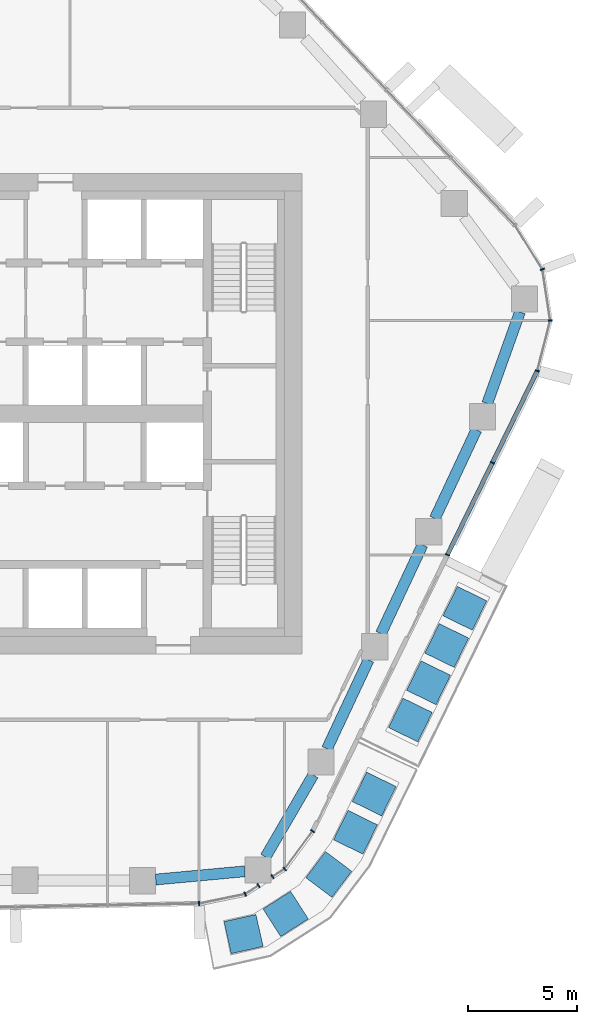
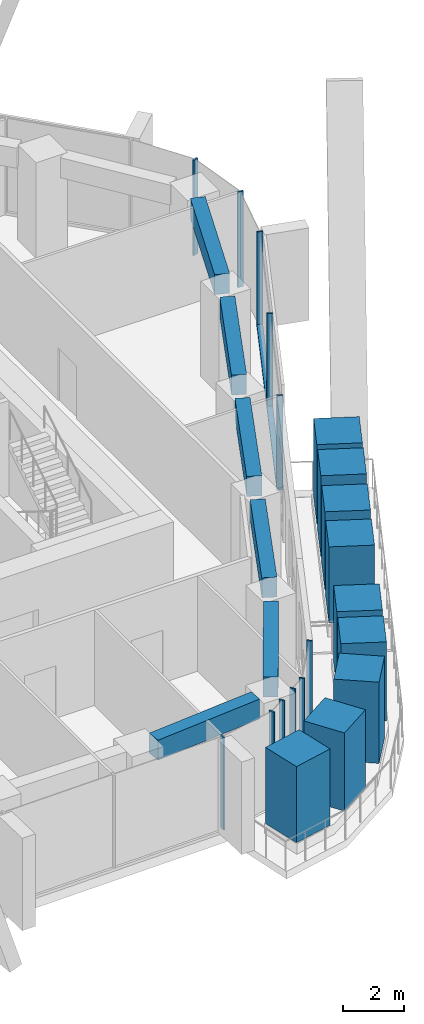
# One storey, part 4 of 18: 21 members, 6 beams, 5 elements without a shape of their own.
"""IFC4 building model written with IfcOpenShell, lengths in metres."""

from ifc_helpers import new_model, si_unit, direction, frame, origin, origin_2d, place, context, subcontext, project, spatial, rectangle, extrude, material, layer, layer_set, material_profile, profile_set, type_object, element, aggregate, save


model = new_model("IFC4")

# Units and contexts
model_context = context("Model", 3, precision=1e-05, world=origin(), true_north=direction((0.0, 1.0)))
body_context = subcontext(model_context, "Body", "Model", "MODEL_VIEW")
ifc_project = project(units=[si_unit("LENGTHUNIT", "METRE"), si_unit("AREAUNIT", "SQUARE_METRE"), si_unit("VOLUMEUNIT", "CUBIC_METRE"), si_unit("PLANEANGLEUNIT", "RADIAN"), si_unit("MASSUNIT", "GRAM", prefix="KILO")], contexts=[model_context])

# Site, building, storey
site_placement = place(None, origin())
site = spatial("IfcSite", under=ifc_project, at=site_placement, CompositionType="ELEMENT")
building_placement = place(site_placement, origin())
building = spatial("IfcBuilding", under=site, at=building_placement, Name="Dongbaek Canopy Tower", CompositionType="ELEMENT")
storey_placement = place(building_placement, frame((0.0, 0.0, 167.0)))
storey = spatial("IfcBuildingStorey", under=building, at=storey_placement, Name="L36", CompositionType="ELEMENT", Elevation=167.0)

# Curtain wall, members
ifc_material_1 = material(Name="Aluminium 6063-T6 pale anodised", Category="aluminium")
ifc_layer = layer(ifc_material_1, 0.199951171875)
ifc_layer_set = layer_set([ifc_layer], Name="CW-1 unitised tower curtain wall")
curtain_wall_type = type_object("IfcCurtainWallType", Name="CW-1 unitised tower curtain wall", PredefinedType="NOTDEFINED", material=ifc_layer_set)
curtain_wall_1_placement = place(storey_placement, origin())
curtain_wall_1 = element("IfcCurtainWall", 1, at=curtain_wall_1_placement, inside=storey, type_object=curtain_wall_type, Name="CW-1 curtain wall K0.1", PredefinedType="NOTDEFINED")
ifc_material_2 = material(Name="Aluminium 6063-T6 pale anodised", Category="aluminium")
ifc_material_profile_1 = material_profile(ifc_material_2, rectangle(XDim=0.199951171875, YDim=0.06005859375, at=origin_2d()), Name="CW-1 mullion 60 x 200")
ifc_profile_set_1 = profile_set([ifc_material_profile_1], Name="Aluminium 6063-T6 pale anodised")
member_type_1 = type_object("IfcMemberType", Name="CW-1 mullion 60 x 200", PredefinedType="MULLION", material=ifc_profile_set_1)
member_1_placement = place(storey_placement, frame((24.76123046875, 1.9658203125, 0.0), z_axis=(0.0, 0.0, 1.0), x_axis=(0.968425118829, -0.249304611313, 0.0)))
member_1 = element("IfcMember", 2, at=member_1_placement, type_object=member_type_1, Name="CW-1 mullion K0.1.1", PredefinedType="MULLION", context=body_context, shape_type="SweptSolid", body=[
    extrude(rectangle(XDim=0.199951171875, YDim=0.06005859375, at=origin_2d()), origin(), (0.0, 0.0, 1.0), 3.820068359375),
])
member_2_placement = place(storey_placement, frame((25.354248046875, 4.26953125, 0.0), z_axis=(0.0, 0.0, 1.0), x_axis=(0.998759637263, -0.04979143475, 0.0)))
member_2 = element("IfcMember", 3, at=member_2_placement, type_object=member_type_1, Name="CW-1 mullion K0.1.2", PredefinedType="MULLION", context=body_context, shape_type="SweptSolid", body=[
    extrude(rectangle(XDim=0.199951171875, YDim=0.06005859375, at=origin_2d()), origin(), (0.0, 0.0, 1.0), 3.820068359375),
])
member_3_placement = place(storey_placement, frame((24.994873046875, 6.6103515625, 0.0), z_axis=(0.0, 0.0, 1.0), x_axis=(0.937824276547, 0.347110395003, 0.0)))
member_3 = element("IfcMember", 4, at=member_3_placement, type_object=member_type_1, Name="CW-1 mullion K0.1.3", PredefinedType="MULLION", context=body_context, shape_type="SweptSolid", body=[
    extrude(rectangle(XDim=0.199951171875, YDim=0.06005859375, at=origin_2d()), origin(), (0.0, 0.0, 1.0), 3.820068359375),
])
aggregate(curtain_wall_1, [member_1, member_2, member_3])

# Curtain wall, member
curtain_wall_2_placement = place(storey_placement, origin())
curtain_wall_2 = element("IfcCurtainWall", 5, at=curtain_wall_2_placement, inside=storey, type_object=curtain_wall_type, Name="CW-1 curtain wall F4.1", PredefinedType="NOTDEFINED")
member_4_placement = place(storey_placement, frame((9.2841796875, -22.41845703125, 0.1201171875), z_axis=(0.0, 0.0, 1.0), x_axis=(0.020514717954, -0.999789551029, 0.0)))
member_4 = element("IfcMember", 6, at=member_4_placement, type_object=member_type_1, Name="CW-1 mullion F4.1.5", PredefinedType="MULLION", context=body_context, shape_type="SweptSolid", body=[
    extrude(rectangle(XDim=0.199951171875, YDim=0.06005859375, at=origin_2d()), origin(), (0.0, 0.0, 1.0), 3.699951171875),
])
aggregate(curtain_wall_2, [member_4])

# Curtain wall, members
curtain_wall_3_placement = place(storey_placement, origin())
curtain_wall_3 = element("IfcCurtainWall", 7, at=curtain_wall_3_placement, inside=storey, type_object=curtain_wall_type, Name="CW-1 curtain wall K5.1a", PredefinedType="NOTDEFINED")
member_5_placement = place(storey_placement, frame((11.392578125, -21.98388671875, 0.0), z_axis=(0.0, 0.0, 1.0), x_axis=(0.376398173311, -0.92645799426, 0.0)))
member_5 = element("IfcMember", 8, at=member_5_placement, type_object=member_type_1, Name="CW-1 mullion K5.1a.2", PredefinedType="MULLION", context=body_context, shape_type="SweptSolid", body=[
    extrude(rectangle(XDim=0.199951171875, YDim=0.06005859375, at=origin_2d()), origin(), (0.0, 0.0, 1.0), 3.820068359375),
])
member_6_placement = place(storey_placement, frame((12.001953125, -21.594482421875, 0.0), z_axis=(0.0, 0.0, 1.0), x_axis=(0.538452968789, -0.842655564511, 0.0)))
member_6 = element("IfcMember", 9, at=member_6_placement, type_object=member_type_1, Name="CW-1 mullion K5.1a.3", PredefinedType="MULLION", context=body_context, shape_type="SweptSolid", body=[
    extrude(rectangle(XDim=0.199951171875, YDim=0.06005859375, at=origin_2d()), origin(), (0.0, 0.0, 1.0), 3.820068359375),
])
aggregate(curtain_wall_3, [member_5, member_6])

curtain_wall_4_placement = place(storey_placement, origin())
curtain_wall_4 = element("IfcCurtainWall", 10, at=curtain_wall_4_placement, inside=storey, type_object=curtain_wall_type, Name="CW-1 curtain wall K5.1b", PredefinedType="NOTDEFINED")
member_7_placement = place(storey_placement, frame((12.64208984375, -21.185546875, 0.0), z_axis=(0.0, 0.0, 1.0), x_axis=(0.538452968789, -0.842655564511, 0.0)))
member_7 = element("IfcMember", 11, at=member_7_placement, type_object=member_type_1, Name="CW-1 mullion K5.1b.1", PredefinedType="MULLION", context=body_context, shape_type="SweptSolid", body=[
    extrude(rectangle(XDim=0.199951171875, YDim=0.06005859375, at=origin_2d()), origin(), (0.0, 0.0, 1.0), 3.820068359375),
])
member_8_placement = place(storey_placement, frame((13.198486328125, -20.830078125, 0.0), z_axis=(0.0, 0.0, 1.0), x_axis=(0.682585570445, -0.730805678016, 0.0)))
member_8 = element("IfcMember", 12, at=member_8_placement, type_object=member_type_1, Name="CW-1 mullion K5.1b.2", PredefinedType="MULLION", context=body_context, shape_type="SweptSolid", body=[
    extrude(rectangle(XDim=0.199951171875, YDim=0.06005859375, at=origin_2d()), origin(), (0.0, 0.0, 1.0), 3.820068359375),
])
member_9_placement = place(storey_placement, frame((14.478515625, -19.099365234375, 0.0), z_axis=(0.0, 0.0, 1.0), x_axis=(0.803998581724, -0.594631213935, 0.0)))
member_9 = element("IfcMember", 13, at=member_9_placement, type_object=member_type_1, Name="CW-1 mullion K5.1b.3", PredefinedType="MULLION", context=body_context, shape_type="SweptSolid", body=[
    extrude(rectangle(XDim=0.199951171875, YDim=0.06005859375, at=origin_2d()), origin(), (0.0, 0.0, 1.0), 3.820068359375),
])
aggregate(curtain_wall_4, [member_7, member_8, member_9])

curtain_wall_5_placement = place(storey_placement, origin())
curtain_wall_5 = element("IfcCurtainWall", 14, at=curtain_wall_5_placement, inside=storey, type_object=curtain_wall_type, Name="CW-1 curtain wall F5.1", PredefinedType="NOTDEFINED")
member_10_placement = place(storey_placement, frame((20.649169921875, -6.4580078125, 0.1201171875), z_axis=(0.0, 0.0, 1.0), x_axis=(0.898650818606, -0.438664685403, 0.0)))
member_10 = element("IfcMember", 15, at=member_10_placement, type_object=member_type_1, Name="CW-1 mullion F5.1.1", PredefinedType="MULLION", context=body_context, shape_type="SweptSolid", body=[
    extrude(rectangle(XDim=0.199951171875, YDim=0.06005859375, at=origin_2d()), origin(), (0.0, 0.0, 1.0), 3.699951171875),
])
member_11_placement = place(storey_placement, frame((22.707275390625, -2.241455078125, 0.1201171875), z_axis=(0.0, 0.0, 1.0), x_axis=(0.898650818606, -0.438664685403, 0.0)))
member_11 = element("IfcMember", 16, at=member_11_placement, type_object=member_type_1, Name="CW-1 mullion F5.1.2", PredefinedType="MULLION", context=body_context, shape_type="SweptSolid", body=[
    extrude(rectangle(XDim=0.199951171875, YDim=0.06005859375, at=origin_2d()), origin(), (0.0, 0.0, 1.0), 3.699951171875),
])
ifc_material_3 = material(Name="Aluminium 6063-T6 pale anodised", Category="aluminium")
ifc_material_profile_2 = material_profile(ifc_material_3, rectangle(XDim=0.199951171875, YDim=0.1201171875, at=origin_2d()), Name="CW-1 transom 120 x 200")
ifc_profile_set_2 = profile_set([ifc_material_profile_2], Name="Aluminium 6063-T6 pale anodised")
member_type_2 = type_object("IfcMemberType", Name="CW-1 transom 120 x 200", PredefinedType="USERDEFINED", material=ifc_profile_set_2)
member_12_placement = place(storey_placement, frame((20.649169921875, -6.4580078125, 0.06005859375), z_axis=(0.438671459596, 0.89864751184, 0.0), x_axis=(-0.89864751184, 0.438671459596, 0.0)))
member_12 = element("IfcMember", 17, at=member_12_placement, type_object=member_type_2, Name="CW-1 transom F5.1.1", ObjectType="TRANSOM", PredefinedType="USERDEFINED", context=body_context, shape_type="SweptSolid", body=[
    extrude(rectangle(XDim=0.199951171875, YDim=0.1201171875, at=origin_2d()), origin(), (0.0, 0.0, 1.0), 9.373779296875),
])
aggregate(curtain_wall_5, [member_10, member_11, member_12])

# Beams
ifc_material_4 = material(Name="Concrete C70", Category="concrete")
ifc_material_profile_3 = material_profile(ifc_material_4, rectangle(XDim=0.5, YDim=0.800048828125, at=origin_2d()), Name="RC EDGE BEAM 500x800 C70")
ifc_profile_set_3 = profile_set([ifc_material_profile_3], Name="Concrete C70")
beam_type = type_object("IfcBeamType", Name="RC EDGE BEAM 500x800 C70", PredefinedType="BEAM", material=ifc_profile_set_3)
beam_1_placement = place(storey_placement, frame((11.3720703125, -20.9404296875, 3.419921875), z_axis=(-0.995763065099, -0.091956066598, 0.0), x_axis=(0.091956066598, -0.995763065099, 0.0)))
element("IfcBeam", 18, at=beam_1_placement, inside=storey, type_object=beam_type, Name="EDGEBEAM:L36:00", PredefinedType="BEAM", context=body_context, shape_type="SweptSolid", body=[
    extrude(rectangle(XDim=0.5, YDim=0.800048828125, at=origin_2d()), origin(), (0.0, 0.0, 1.0), 4.09130859375),
])
beam_2_placement = place(storey_placement, frame((23.965576171875, 4.656982421875, 3.419921875), z_axis=(-0.336398951073, -0.941719568511, 0.0), x_axis=(0.941719568511, -0.336398951073, 0.0)))
element("IfcBeam", 19, at=beam_2_placement, inside=storey, type_object=beam_type, Name="EDGEBEAM:L36:21", PredefinedType="BEAM", context=body_context, shape_type="SweptSolid", body=[
    extrude(rectangle(XDim=0.5, YDim=0.800048828125, at=origin_2d()), origin(), (0.0, 0.0, 1.0), 4.4501953125),
])
beam_3_placement = place(storey_placement, frame((21.972900390625, -0.73388671875, 3.419921875), z_axis=(-0.424114752544, -0.905608456605, 0.0), x_axis=(0.905608456605, -0.424114752544, 0.0)))
element("IfcBeam", 20, at=beam_3_placement, inside=storey, type_object=beam_type, Name="EDGEBEAM:L36:22", PredefinedType="BEAM", context=body_context, shape_type="SweptSolid", body=[
    extrude(rectangle(XDim=0.5, YDim=0.800048828125, at=origin_2d()), origin(), (0.0, 0.0, 1.0), 4.489013671875),
])
beam_4_placement = place(storey_placement, frame((19.507080078125, -5.9990234375, 3.419921875), z_axis=(-0.424057758342, -0.905635145956, 0.0), x_axis=(0.905635145956, -0.424057758342, 0.0)))
element("IfcBeam", 21, at=beam_4_placement, inside=storey, type_object=beam_type, Name="EDGEBEAM:L36:23", PredefinedType="BEAM", context=body_context, shape_type="SweptSolid", body=[
    extrude(rectangle(XDim=0.5, YDim=0.800048828125, at=origin_2d()), origin(), (0.0, 0.0, 1.0), 4.49072265625),
])
beam_5_placement = place(storey_placement, frame((17.041015625, -11.26611328125, 3.419921875), z_axis=(-0.424275059541, -0.905533364295, 0.0), x_axis=(0.905533364295, -0.424275059541, 0.0)))
element("IfcBeam", 22, at=beam_5_placement, inside=storey, type_object=beam_type, Name="EDGEBEAM:L36:24", PredefinedType="BEAM", context=body_context, shape_type="SweptSolid", body=[
    extrude(rectangle(XDim=0.5, YDim=0.800048828125, at=origin_2d()), origin(), (0.0, 0.0, 1.0), 4.489990234375),
])
beam_6_placement = place(storey_placement, frame((14.505859375, -16.531982421875, 3.419921875), z_axis=(-0.503073799677, -0.864243456486, 0.0), x_axis=(0.864243456486, -0.503073799677, 0.0)))
element("IfcBeam", 23, at=beam_6_placement, inside=storey, type_object=beam_type, Name="EDGEBEAM:L36:25", PredefinedType="BEAM", context=body_context, shape_type="SweptSolid", body=[
    extrude(rectangle(XDim=0.5, YDim=0.800048828125, at=origin_2d()), origin(), (0.0, 0.0, 1.0), 4.342529296875),
])

# Members
ifc_material_5 = material(Name="Concrete C40/50 planter mass with planting", Category="concrete")
ifc_material_profile_4 = material_profile(ifc_material_5, rectangle(XDim=1.5, YDim=1.5, at=origin_2d()), Name="Terrace PLANTER shrub mass 1500 x 1500")
ifc_profile_set_4 = profile_set([ifc_material_profile_4], Name="Concrete C40/50 planter mass with planting")
member_type_3 = type_object("IfcMemberType", Name="Terrace PLANTER shrub mass 1500 x 1500", PredefinedType="USERDEFINED", material=ifc_profile_set_4)
member_13_placement = place(storey_placement, frame((18.951904296875, -14.015625, 0.419921875), z_axis=(0.0, 0.0, 1.0), x_axis=(0.898650818606, -0.438664685403, 0.0)))
element("IfcMember", 24, at=member_13_placement, inside=storey, type_object=member_type_3, Name="Planter shrubs L36 2.1", ObjectType="PLANTER", PredefinedType="USERDEFINED", context=body_context, shape_type="SweptSolid", body=[
    extrude(rectangle(XDim=1.5, YDim=1.5, at=origin_2d()), origin(), (0.0, 0.0, 1.0), 3.050048828125),
])
member_14_placement = place(storey_placement, frame((19.78369140625, -12.311767578125, 0.419921875), z_axis=(0.0, 0.0, 1.0), x_axis=(0.898650818606, -0.438664685403, 0.0)))
element("IfcMember", 25, at=member_14_placement, inside=storey, type_object=member_type_3, Name="Planter shrubs L36 2.2", ObjectType="PLANTER", PredefinedType="USERDEFINED", context=body_context, shape_type="SweptSolid", body=[
    extrude(rectangle(XDim=1.5, YDim=1.5, at=origin_2d()), origin(), (0.0, 0.0, 1.0), 3.130126953125),
])
member_15_placement = place(storey_placement, frame((20.615234375, -10.60791015625, 0.419921875), z_axis=(0.0, 0.0, 1.0), x_axis=(0.898650818606, -0.438664685403, 0.0)))
element("IfcMember", 26, at=member_15_placement, inside=storey, type_object=member_type_3, Name="Planter shrubs L36 2.3", ObjectType="PLANTER", PredefinedType="USERDEFINED", context=body_context, shape_type="SweptSolid", body=[
    extrude(rectangle(XDim=1.5, YDim=1.5, at=origin_2d()), origin(), (0.0, 0.0, 1.0), 3.25),
])
member_16_placement = place(storey_placement, frame((21.447021484375, -8.904052734375, 0.419921875), z_axis=(0.0, 0.0, 1.0), x_axis=(0.898650818606, -0.438664685403, 0.0)))
element("IfcMember", 27, at=member_16_placement, inside=storey, type_object=member_type_3, Name="Planter shrubs L36 2.4", ObjectType="PLANTER", PredefinedType="USERDEFINED", context=body_context, shape_type="SweptSolid", body=[
    extrude(rectangle(XDim=1.5, YDim=1.5, at=origin_2d()), origin(), (0.0, 0.0, 1.0), 3.170166015625),
])
member_17_placement = place(storey_placement, frame((11.31689453125, -23.812744140625, 0.419921875), z_axis=(0.0, 0.0, 1.0), x_axis=(0.219698440725, -0.975567832159, 0.0)))
element("IfcMember", 28, at=member_17_placement, inside=storey, type_object=member_type_3, Name="Planter shrubs L36 4.1", ObjectType="PLANTER", PredefinedType="USERDEFINED", context=body_context, shape_type="SweptSolid", body=[
    extrude(rectangle(XDim=1.5, YDim=1.5, at=origin_2d()), origin(), (0.0, 0.0, 1.0), 3.050048828125),
])
member_18_placement = place(storey_placement, frame((13.244140625, -22.8916015625, 0.419921875), z_axis=(0.0, 0.0, 1.0), x_axis=(0.538452968789, -0.842655564511, 0.0)))
element("IfcMember", 29, at=member_18_placement, inside=storey, type_object=member_type_3, Name="Planter shrubs L36 4.2", ObjectType="PLANTER", PredefinedType="USERDEFINED", context=body_context, shape_type="SweptSolid", body=[
    extrude(rectangle(XDim=1.5, YDim=1.5, at=origin_2d()), origin(), (0.0, 0.0, 1.0), 3.130126953125),
])
member_19_placement = place(storey_placement, frame((15.21533203125, -21.083740234375, 0.419921875), z_axis=(0.0, 0.0, 1.0), x_axis=(0.799227668184, -0.60102839734, 0.0)))
element("IfcMember", 30, at=member_19_placement, inside=storey, type_object=member_type_3, Name="Planter shrubs L36 4.3", ObjectType="PLANTER", PredefinedType="USERDEFINED", context=body_context, shape_type="SweptSolid", body=[
    extrude(rectangle(XDim=1.5, YDim=1.5, at=origin_2d()), origin(), (0.0, 0.0, 1.0), 3.25),
])
member_20_placement = place(storey_placement, frame((16.43798828125, -19.153564453125, 0.419921875), z_axis=(0.0, 0.0, 1.0), x_axis=(0.897856053685, -0.440289117356, 0.0)))
element("IfcMember", 31, at=member_20_placement, inside=storey, type_object=member_type_3, Name="Planter shrubs L36 4.4", ObjectType="PLANTER", PredefinedType="USERDEFINED", context=body_context, shape_type="SweptSolid", body=[
    extrude(rectangle(XDim=1.5, YDim=1.5, at=origin_2d()), origin(), (0.0, 0.0, 1.0), 3.170166015625),
])
member_21_placement = place(storey_placement, frame((17.295654296875, -17.404541015625, 0.419921875), z_axis=(0.0, 0.0, 1.0), x_axis=(0.897856053685, -0.440289117356, 0.0)))
element("IfcMember", 32, at=member_21_placement, inside=storey, type_object=member_type_3, Name="Planter shrubs L36 4.5", ObjectType="PLANTER", PredefinedType="USERDEFINED", context=body_context, shape_type="SweptSolid", body=[
    extrude(rectangle(XDim=1.5, YDim=1.5, at=origin_2d()), origin(), (0.0, 0.0, 1.0), 3.090087890625),
])

save(model, "model.ifc")
